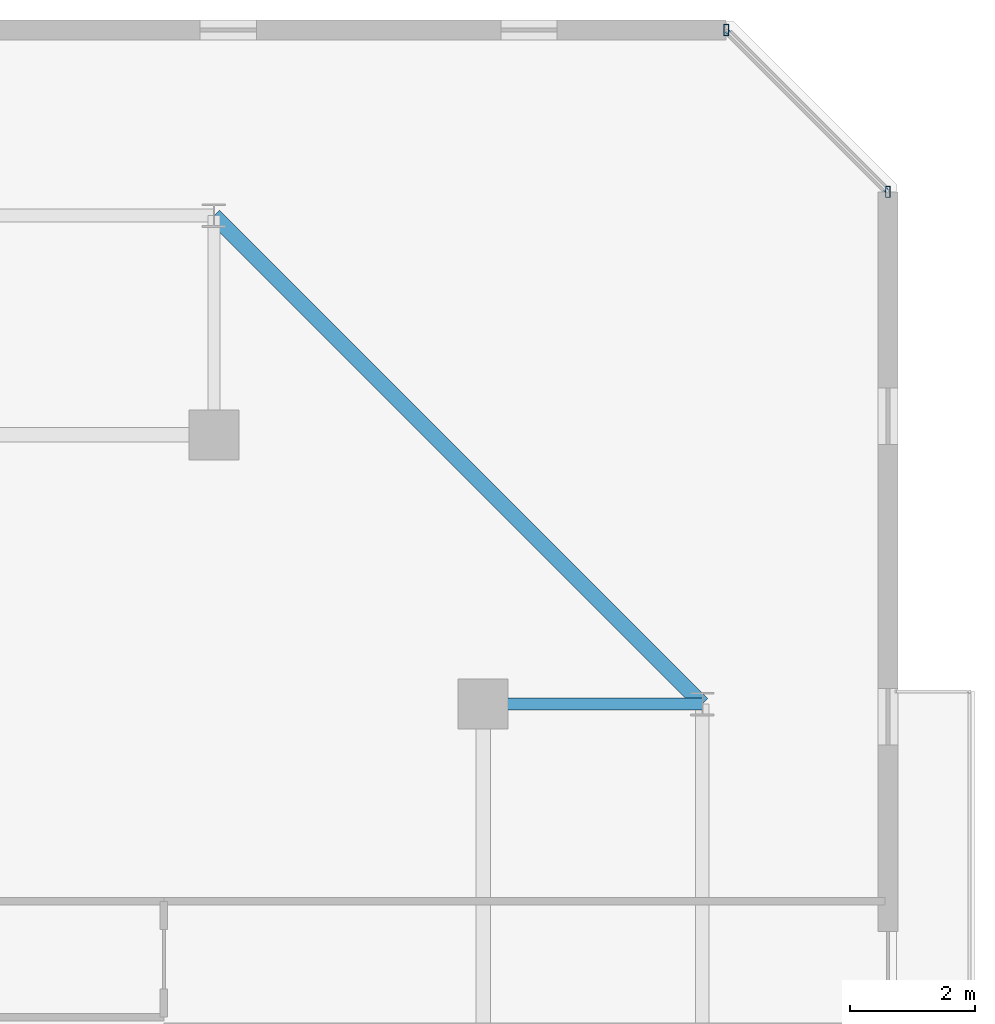
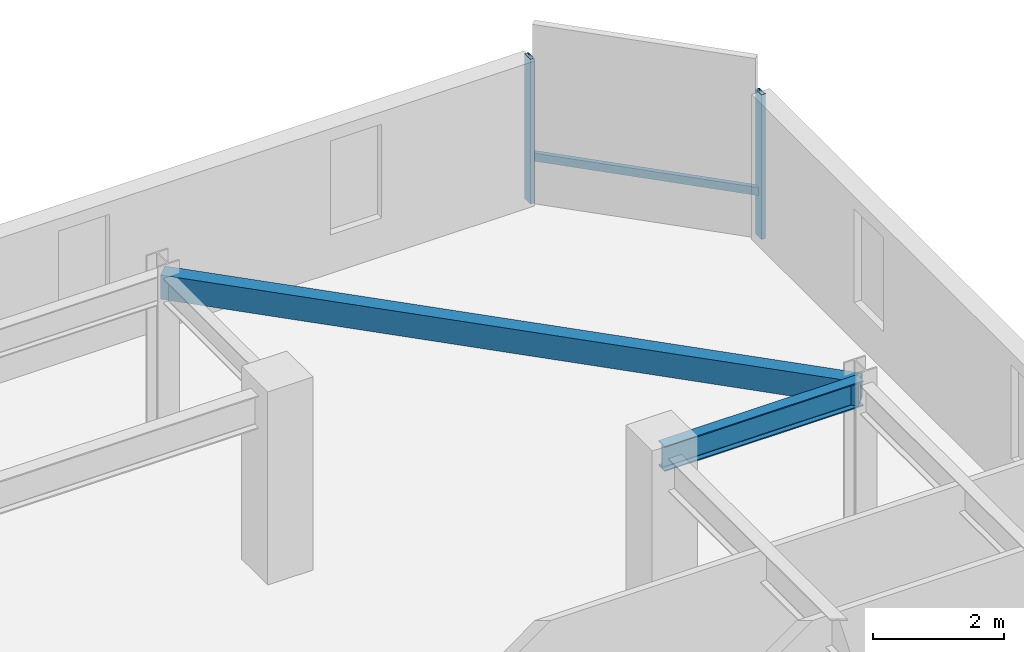
# One storey, part 19 of 35: 3 members, 2 beams, 1 element without a shape of its own.
"""IFC4 building model written with IfcOpenShell, lengths in metres."""

from ifc_helpers import new_model, si_unit, direction, frame, origin, origin_2d, place, context, subcontext, project, spatial, hollow_rectangle, i_section, extrude, material, material_profile, profile_set, type_object, element, aggregate, save


model = new_model("IFC4")

# Units and contexts
model_context = context("Model", 3, precision=1e-05, world=origin(), true_north=direction((0.0, 1.0)))
body_context = subcontext(model_context, "Body", "Model", "MODEL_VIEW")
ifc_project = project(units=[si_unit("LENGTHUNIT", "METRE"), si_unit("AREAUNIT", "SQUARE_METRE"), si_unit("VOLUMEUNIT", "CUBIC_METRE"), si_unit("PLANEANGLEUNIT", "RADIAN"), si_unit("MASSUNIT", "GRAM", prefix="KILO")], contexts=[model_context])

# Site, building, storey
site_placement = place(None, origin())
site = spatial("IfcSite", under=ifc_project, at=site_placement, CompositionType="ELEMENT")
building_placement = place(site_placement, origin())
building = spatial("IfcBuilding", under=site, at=building_placement, Name="Thornwick Lancets Civic Towers", CompositionType="ELEMENT")
storey_placement = place(building_placement, frame((0.0, 0.0, 265.5)))
storey = spatial("IfcBuildingStorey", under=building, at=storey_placement, Name="L71", CompositionType="ELEMENT", Elevation=265.5)

# Beams
ifc_material_1 = material(Name="Steel S355JR", Category="steel")
ifc_material_profile_1 = material_profile(ifc_material_1, i_section(OverallWidth=0.19287109375, OverallDepth=0.46728515625, WebThickness=0.011474609375, FlangeThickness=0.01953125, FilletRadius=0.01025390625, at=origin_2d()), Name="UKB 457x191x98")
ifc_profile_set_1 = profile_set([ifc_material_profile_1], Name="Steel S355JR")
beam_type_1 = type_object("IfcBeamType", Name="BM_JOIST_457_98", PredefinedType="JOIST", material=ifc_profile_set_1)
beam_1_placement = place(storey_placement, frame((105.800048828125, 40.0, 3.12646484375), z_axis=(1.0, 0.0, 0.0), x_axis=(0.0, 1.0, 0.0)))
element("IfcBeam", 1, at=beam_1_placement, inside=storey, type_object=beam_type_1, Name="BM-RAD-L71-B03", PredefinedType="JOIST", context=body_context, shape_type="SweptSolid", body=[
    extrude(i_section(OverallWidth=0.19287109375, OverallDepth=0.46728515625, WebThickness=0.011474609375, FlangeThickness=0.01953125, FilletRadius=0.01025390625, at=origin_2d()), origin(), (0.0, 0.0, 1.0), 3.5),
])
ifc_material_profile_2 = material_profile(ifc_material_1, hollow_rectangle(XDim=0.25, YDim=0.449951171875, WallThickness=0.01611328125, at=origin_2d()), Name="RHS 450x250x16")
ifc_profile_set_2 = profile_set([ifc_material_profile_2], Name="Steel S355JR")
beam_type_2 = type_object("IfcBeamType", Name="BM_RING_RHS450", PredefinedType="BEAM", material=ifc_profile_set_2)
beam_2_placement = place(storey_placement, frame((109.300048828125, 40.0, 3.135009765625), z_axis=(-0.707106781187, 0.707106781187, 0.0), x_axis=(-0.707106781187, -0.707106781187, 0.0)))
element("IfcBeam", 2, at=beam_2_placement, inside=storey, type_object=beam_type_2, Name="BM-CHAMF-L71-B-C0", PredefinedType="BEAM", context=body_context, shape_type="SweptSolid", body=[
    extrude(hollow_rectangle(XDim=0.25, YDim=0.449951171875, WallThickness=0.01611328125, at=origin_2d()), origin(), (0.0, 0.0, 1.0), 11.031005859375),
])

# Curtain wall, members
ifc_material_2 = material(Name="High-zone chamfered-corner unitised glass curtain wall", Category="glass")
curtain_wall_type = type_object("IfcCurtainWallType", Name="CW_SYS_05", PredefinedType="NOTDEFINED", material=ifc_material_2)
curtain_wall_placement = place(storey_placement, origin())
curtain_wall = element("IfcCurtainWall", 3, at=curtain_wall_placement, inside=storey, type_object=curtain_wall_type, Name="L71 Curtain Wall CW-L71-B-E3", PredefinedType="NOTDEFINED")
ifc_material_3 = material(Name="Thermally broken bronze aluminium S355", Category="steel")
ifc_material_profile_3 = material_profile(ifc_material_3, hollow_rectangle(XDim=0.074951171875, YDim=0.179931640625, WallThickness=0.006103515625, at=origin_2d()), Name="RHS 180x75x6")
ifc_profile_set_3 = profile_set([ifc_material_profile_3], Name="Thermally broken bronze aluminium S355")
member_type_1 = type_object("IfcMemberType", Name="CW_MUL_180", PredefinedType="MULLION", material=ifc_profile_set_3)
member_1_placement = place(storey_placement, frame((112.2646484375, 48.181396484375, 0.0), z_axis=(0.0, 0.0, 1.0), x_axis=(1.0, 0.0, 0.0)))
member_1 = element("IfcMember", 4, at=member_1_placement, type_object=member_type_1, Name="CW-L71-B-E3 Mullion 0", PredefinedType="MULLION", context=body_context, shape_type="SweptSolid", body=[
    extrude(hollow_rectangle(XDim=0.074951171875, YDim=0.179931640625, WallThickness=0.006103515625, at=origin_2d()), origin(), (0.0, 0.0, 1.0), 2.699951171875),
])
member_2_placement = place(storey_placement, frame((109.681396484375, 50.7646484375, 0.0), z_axis=(0.0, 0.0, 1.0), x_axis=(1.0, 0.0, 0.0)))
member_2 = element("IfcMember", 5, at=member_2_placement, type_object=member_type_1, Name="CW-L71-B-E3 Mullion 1", PredefinedType="MULLION", context=body_context, shape_type="SweptSolid", body=[
    extrude(hollow_rectangle(XDim=0.074951171875, YDim=0.179931640625, WallThickness=0.006103515625, at=origin_2d()), origin(), (0.0, 0.0, 1.0), 2.699951171875),
])
ifc_material_profile_4 = material_profile(ifc_material_3, hollow_rectangle(XDim=0.074951171875, YDim=0.14990234375, WallThickness=0.0048828125, at=origin_2d()), Name="RHS 150x75x5")
ifc_profile_set_4 = profile_set([ifc_material_profile_4], Name="Thermally broken bronze aluminium S355")
member_type_2 = type_object("IfcMemberType", Name="CW_TRN_150", PredefinedType="USERDEFINED", material=ifc_profile_set_4)
member_3_placement = place(storey_placement, frame((112.25048828125, 48.195556640625, 0.85009765625), z_axis=(-0.707106781187, 0.707106781187, 0.0), x_axis=(-0.707106781187, -0.707106781187, 0.0)))
member_3 = element("IfcMember", 6, at=member_3_placement, type_object=member_type_2, Name="CW-L71-B-E3 Transom 0", ObjectType="TRANSOM", PredefinedType="USERDEFINED", context=body_context, shape_type="SweptSolid", body=[
    extrude(hollow_rectangle(XDim=0.074951171875, YDim=0.14990234375, WallThickness=0.0048828125, at=origin_2d()), origin(), (0.0, 0.0, 1.0), 3.61328125),
])
aggregate(curtain_wall, [member_1, member_2, member_3])

save(model, "model.ifc")
